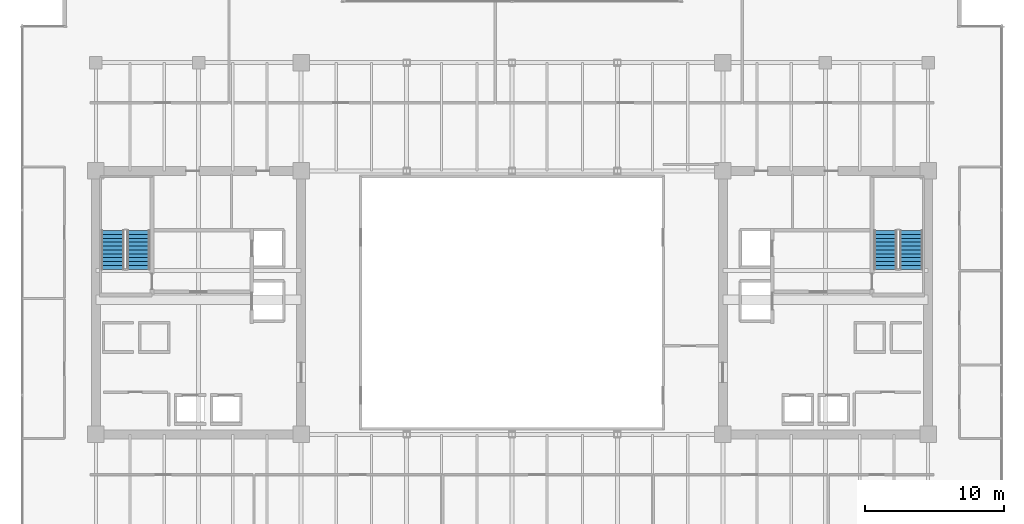
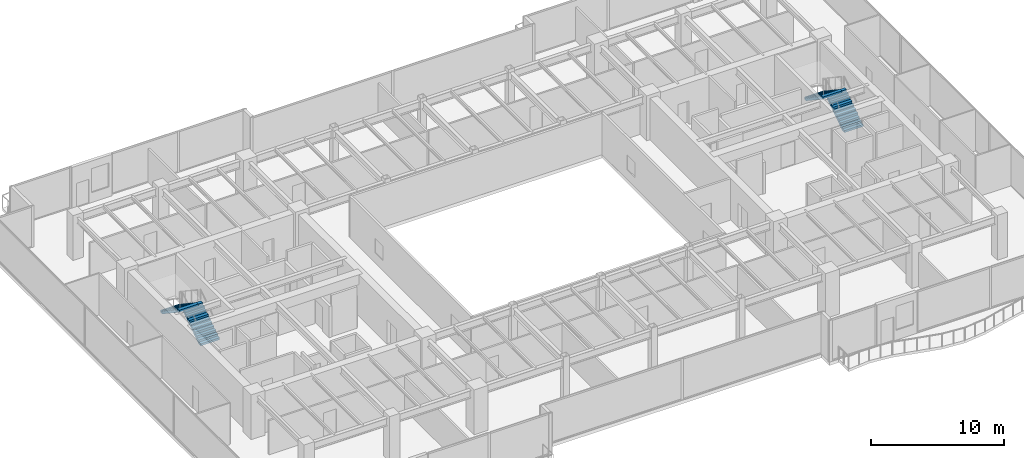
# One storey, part 27 of 30: 4 stair flights, 2 elements without a shape of their own.
"""IFC4 building model written with IfcOpenShell, lengths in metres."""

from ifc_helpers import new_model, si_unit, direction, frame, origin, place, context, subcontext, project, spatial, polyline, outline, extrude, source, transform, mapped, material, type_object, type_shapes, element, aggregate, save


model = new_model("IFC4")

# Units and contexts
model_context = context("Model", 3, precision=1e-05, world=origin(), true_north=direction((0.0, 1.0)))
body_context = subcontext(model_context, "Body", "Model", "MODEL_VIEW")
ifc_project = project(units=[si_unit("LENGTHUNIT", "METRE"), si_unit("AREAUNIT", "SQUARE_METRE"), si_unit("VOLUMEUNIT", "CUBIC_METRE"), si_unit("PLANEANGLEUNIT", "RADIAN"), si_unit("MASSUNIT", "GRAM", prefix="KILO")], contexts=[model_context])

# Site, building, storey
site_placement = place(None, origin())
site = spatial("IfcSite", under=ifc_project, at=site_placement, CompositionType="ELEMENT")
building_placement = place(site_placement, origin())
building = spatial("IfcBuilding", under=site, at=building_placement, Name="Haelvirn Gate Laboratories", CompositionType="ELEMENT")
storey_placement = place(building_placement, frame((0.0, 0.0, 146.10009765625)))
storey = spatial("IfcBuildingStorey", under=building, at=storey_placement, Name="L35", CompositionType="ELEMENT", Elevation=146.10009765625)

# Stair, stair flights
ifc_material = material(Name="Concrete C40/50", Category="concrete")
stair_type = type_object("IfcStairType", Name="ST-DOG-1650-R22", PredefinedType="HALF_TURN_STAIR", material=ifc_material)
stair_1_placement = place(storey_placement, origin())
stair_1 = element("IfcStair", 1, at=stair_1_placement, inside=storey, type_object=stair_type, Name="L35 Escape Stair ST1", PredefinedType="HALF_TURN_STAIR")
stair_flight_type = type_object("IfcStairFlightType", Name="STF-1650-R11", PredefinedType="STRAIGHT", material=ifc_material)
shared_shape = source(origin(), body_context, "Body", "SweptSolid", [
    extrude(outline(polyline([(0.0, 0.0), (0.0, 0.186279296875), (0.280029296875, 0.186279296875), (0.280029296875, 0.372802734375), (0.56005859375, 0.372802734375), (0.56005859375, 0.55908203125), (0.840087890625, 0.55908203125), (0.840087890625, 0.745361328125), (1.1201171875, 0.745361328125), (1.1201171875, 0.931884765625), (1.39990234375, 0.931884765625), (1.39990234375, 1.1181640625), (1.679931640625, 1.1181640625), (1.679931640625, 1.304443359375), (1.9599609375, 1.304443359375), (1.9599609375, 1.490966796875), (2.239990234375, 1.490966796875), (2.239990234375, 1.67724609375), (2.52001953125, 1.67724609375), (2.52001953125, 1.863525390625), (2.800048828125, 1.863525390625), (2.800048828125, 2.050048828125), (2.800048828125, 1.671630859375), (0.28857421875, 0.0), (0.0, 0.0)])), frame((0.0, 0.824951171875, 0.0), z_axis=(0.0, -1.0, 0.0), x_axis=(1.0, 0.0, 0.0)), (0.0, 0.0, 1.0), 1.64990234375),
])
type_shapes(stair_flight_type, [shared_shape])
stair_flight_1_placement = place(storey_placement, frame((10.47509765625, 26.699951171875, 0.0), z_axis=(0.0, 0.0, 1.0), x_axis=(0.0, 1.0, 0.0)))
stair_flight_1 = element("IfcStairFlight", 2, at=stair_flight_1_placement, type_object=stair_flight_type, Name="ST1 flight 1", NumberOfRisers=11, NumberOfTreads=10, PredefinedType="STRAIGHT", RiserHeight=0.186363636, TreadLength=0.28, context=body_context, shape_type="MappedRepresentation", body=[
    mapped(shared_shape, transform((0.0, 0.0, 0.0), scale=1.0)),
])
stair_flight_2_placement = place(storey_placement, frame((8.625, 29.5, 2.0498046875), z_axis=(0.0, 0.0, 1.0), x_axis=(0.0, -1.0, 0.0)))
stair_flight_2 = element("IfcStairFlight", 3, at=stair_flight_2_placement, type_object=stair_flight_type, Name="ST1 flight 2", NumberOfRisers=11, NumberOfTreads=10, PredefinedType="STRAIGHT", RiserHeight=0.186363636, TreadLength=0.28, context=body_context, shape_type="MappedRepresentation", body=[
    mapped(shared_shape, transform((0.0, 0.0, 0.0), scale=1.0)),
])
aggregate(stair_1, [stair_flight_1, stair_flight_2])

stair_2_placement = place(storey_placement, origin())
stair_2 = element("IfcStair", 4, at=stair_2_placement, inside=storey, type_object=stair_type, Name="L35 Escape Stair ST2", PredefinedType="HALF_TURN_STAIR")
stair_flight_3_placement = place(storey_placement, frame((66.175048828125, 26.699951171875, 0.0), z_axis=(0.0, 0.0, 1.0), x_axis=(0.0, 1.0, 0.0)))
stair_flight_3 = element("IfcStairFlight", 5, at=stair_flight_3_placement, type_object=stair_flight_type, Name="ST2 flight 1", NumberOfRisers=11, NumberOfTreads=10, PredefinedType="STRAIGHT", RiserHeight=0.186363636, TreadLength=0.28, context=body_context, shape_type="MappedRepresentation", body=[
    mapped(shared_shape, transform((0.0, 0.0, 0.0), scale=1.0)),
])
stair_flight_4_placement = place(storey_placement, frame((64.324951171875, 29.5, 2.0498046875), z_axis=(0.0, 0.0, 1.0), x_axis=(0.0, -1.0, 0.0)))
stair_flight_4 = element("IfcStairFlight", 6, at=stair_flight_4_placement, type_object=stair_flight_type, Name="ST2 flight 2", NumberOfRisers=11, NumberOfTreads=10, PredefinedType="STRAIGHT", RiserHeight=0.186363636, TreadLength=0.28, context=body_context, shape_type="MappedRepresentation", body=[
    mapped(shared_shape, transform((0.0, 0.0, 0.0), scale=1.0)),
])
aggregate(stair_2, [stair_flight_3, stair_flight_4])

save(model, "model.ifc")
